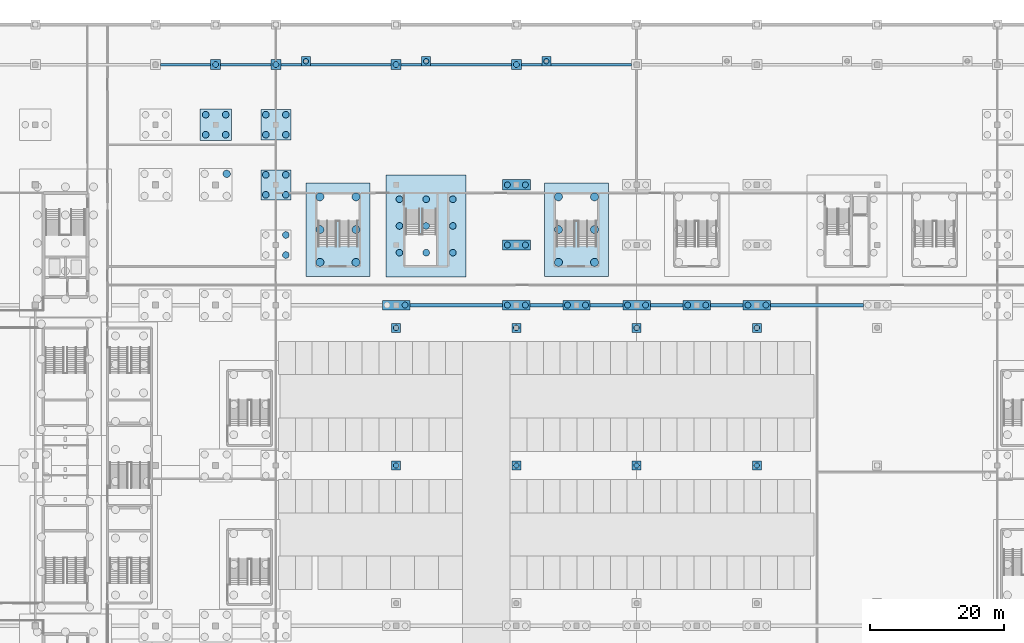
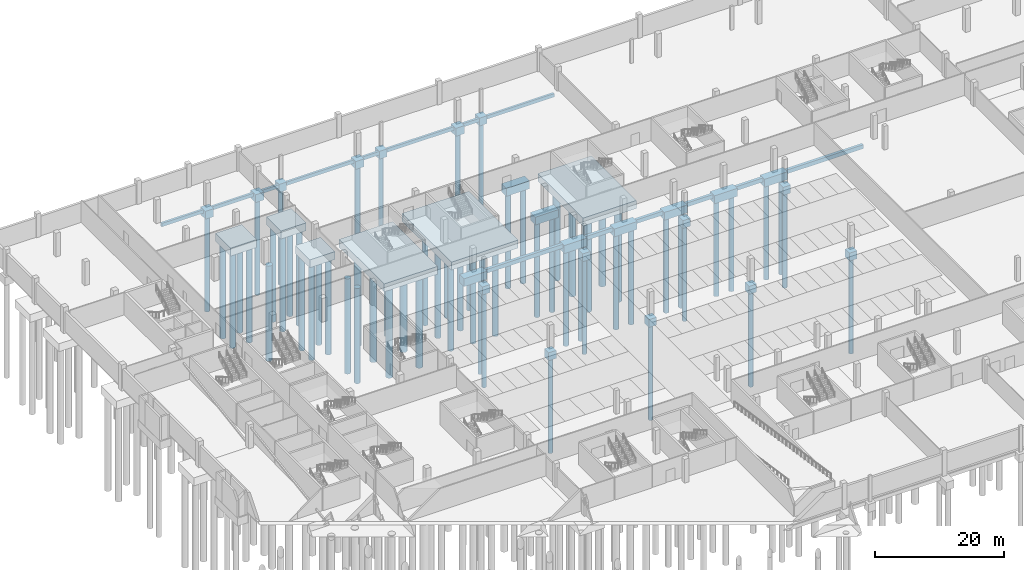
# One storey, part 4 of 46: 66 piles, 43 footings.
"""IFC4 building model written with IfcOpenShell, lengths in metres."""

from ifc_helpers import new_model, si_unit, direction, frame, origin, origin_2d, place, context, subcontext, project, spatial, polyline, circle, outline, extrude, material, material_profile, profile_set, type_object, element, save


model = new_model("IFC4")

# Units and contexts
model_context = context("Model", 3, precision=1e-05, world=origin(), true_north=direction((0.0, 1.0)))
body_context = subcontext(model_context, "Body", "Model", "MODEL_VIEW")
ifc_project = project(units=[si_unit("LENGTHUNIT", "METRE"), si_unit("AREAUNIT", "SQUARE_METRE"), si_unit("VOLUMEUNIT", "CUBIC_METRE"), si_unit("PLANEANGLEUNIT", "RADIAN"), si_unit("MASSUNIT", "GRAM", prefix="KILO")], contexts=[model_context])

# Site, building, storey
site_placement = place(None, origin())
site = spatial("IfcSite", under=ifc_project, at=site_placement, CompositionType="ELEMENT")
building_placement = place(site_placement, origin())
building = spatial("IfcBuilding", under=site, at=building_placement, Name="Kisiwana Market Hall", CompositionType="ELEMENT")
storey_placement = place(building_placement, frame((0.0, 0.0, -4.5)))
storey = spatial("IfcBuildingStorey", under=building, at=storey_placement, Name="B1", CompositionType="ELEMENT", Elevation=-4.5)

# Footings
ifc_material_1 = material(Name="Concrete C40/50", Category="concrete")
footing_type_1 = type_object("IfcFootingType", Name="FB-TIE-400x650", PredefinedType="FOOTING_BEAM", material=ifc_material_1)
footing_1_placement = place(storey_placement, frame((0.0, 0.0, -1.10009765625)))
element("IfcFooting", 1, at=footing_1_placement, inside=storey, type_object=footing_type_1, Name="Ground tie beam F-254", PredefinedType="FOOTING_BEAM", context=body_context, shape_type="SweptSolid", body=[
    extrude(outline(polyline([(27.75, 119.800048828125), (35.25, 119.800048828125), (35.25, 120.199951171875), (27.75, 120.199951171875), (27.75, 119.800048828125)])), origin(), (0.0, 0.0, 1.0), 0.650146484375),
])
footing_2_placement = place(storey_placement, frame((0.0, 0.0, -1.10009765625)))
element("IfcFooting", 2, at=footing_2_placement, inside=storey, type_object=footing_type_1, Name="Ground tie beam F-255", PredefinedType="FOOTING_BEAM", context=body_context, shape_type="SweptSolid", body=[
    extrude(outline(polyline([(36.75, 119.800048828125), (44.25, 119.800048828125), (44.25, 120.199951171875), (36.75, 120.199951171875), (36.75, 119.800048828125)])), origin(), (0.0, 0.0, 1.0), 0.650146484375),
])
footing_3_placement = place(storey_placement, frame((0.0, 0.0, -1.10009765625)))
element("IfcFooting", 3, at=footing_3_placement, inside=storey, type_object=footing_type_1, Name="Ground tie beam F-256", PredefinedType="FOOTING_BEAM", context=body_context, shape_type="SweptSolid", body=[
    extrude(outline(polyline([(45.75, 119.800048828125), (48.824951171875, 119.800048828125), (48.824951171875, 120.199951171875), (45.75, 120.199951171875), (45.75, 119.800048828125)])), origin(), (0.0, 0.0, 1.0), 0.650146484375),
])
footing_4_placement = place(storey_placement, frame((0.0, 0.0, -1.10009765625)))
element("IfcFooting", 4, at=footing_4_placement, inside=storey, type_object=footing_type_1, Name="Ground tie beam F-257", PredefinedType="FOOTING_BEAM", context=body_context, shape_type="SweptSolid", body=[
    extrude(outline(polyline([(50.175048828125, 119.800048828125), (62.25, 119.800048828125), (62.25, 120.199951171875), (50.175048828125, 120.199951171875), (50.175048828125, 119.800048828125)])), origin(), (0.0, 0.0, 1.0), 0.650146484375),
])
footing_5_placement = place(storey_placement, frame((0.0, 0.0, -1.10009765625)))
element("IfcFooting", 5, at=footing_5_placement, inside=storey, type_object=footing_type_1, Name="Ground tie beam F-258", PredefinedType="FOOTING_BEAM", context=body_context, shape_type="SweptSolid", body=[
    extrude(outline(polyline([(63.75, 119.800048828125), (66.824951171875, 119.800048828125), (66.824951171875, 120.199951171875), (63.75, 120.199951171875), (63.75, 119.800048828125)])), origin(), (0.0, 0.0, 1.0), 0.650146484375),
])
footing_6_placement = place(storey_placement, frame((0.0, 0.0, -1.10009765625)))
element("IfcFooting", 6, at=footing_6_placement, inside=storey, type_object=footing_type_1, Name="Ground tie beam F-259", PredefinedType="FOOTING_BEAM", context=body_context, shape_type="SweptSolid", body=[
    extrude(outline(polyline([(68.175048828125, 119.800048828125), (80.25, 119.800048828125), (80.25, 120.199951171875), (68.175048828125, 120.199951171875), (68.175048828125, 119.800048828125)])), origin(), (0.0, 0.0, 1.0), 0.650146484375),
])
footing_7_placement = place(storey_placement, frame((0.0, 0.0, -1.10009765625)))
element("IfcFooting", 7, at=footing_7_placement, inside=storey, type_object=footing_type_1, Name="Ground tie beam F-260", PredefinedType="FOOTING_BEAM", context=body_context, shape_type="SweptSolid", body=[
    extrude(outline(polyline([(81.75, 119.800048828125), (84.824951171875, 119.800048828125), (84.824951171875, 120.199951171875), (81.75, 120.199951171875), (81.75, 119.800048828125)])), origin(), (0.0, 0.0, 1.0), 0.650146484375),
])
footing_8_placement = place(storey_placement, frame((0.0, 0.0, -1.10009765625)))
element("IfcFooting", 8, at=footing_8_placement, inside=storey, type_object=footing_type_1, Name="Ground tie beam F-261", PredefinedType="FOOTING_BEAM", context=body_context, shape_type="SweptSolid", body=[
    extrude(outline(polyline([(86.175048828125, 119.800048828125), (98.25, 119.800048828125), (98.25, 120.199951171875), (86.175048828125, 120.199951171875), (86.175048828125, 119.800048828125)])), origin(), (0.0, 0.0, 1.0), 0.650146484375),
])
ifc_material_2 = material(Name="Concrete C40/50", Category="concrete")
footing_type_2 = type_object("IfcFootingType", Name="FB-TIE-500x750", PredefinedType="FOOTING_BEAM", material=ifc_material_2)
footing_9_placement = place(storey_placement, frame((0.0, 0.0, -1.199951171875)))
element("IfcFooting", 9, at=footing_9_placement, inside=storey, type_object=footing_type_2, Name="Ground tie beam F-241", PredefinedType="FOOTING_BEAM", context=body_context, shape_type="SweptSolid", body=[
    extrude(outline(polyline([(65.050048828125, 83.75), (78.949951171875, 83.75), (78.949951171875, 84.25), (65.050048828125, 84.25), (65.050048828125, 83.75)])), origin(), (0.0, 0.0, 1.0), 0.75),
])
footing_10_placement = place(storey_placement, frame((0.0, 0.0, -1.199951171875)))
element("IfcFooting", 10, at=footing_10_placement, inside=storey, type_object=footing_type_2, Name="Ground tie beam F-242", PredefinedType="FOOTING_BEAM", context=body_context, shape_type="SweptSolid", body=[
    extrude(outline(polyline([(83.050048828125, 83.75), (87.949951171875, 83.75), (87.949951171875, 84.25), (83.050048828125, 84.25), (83.050048828125, 83.75)])), origin(), (0.0, 0.0, 1.0), 0.75),
])
footing_11_placement = place(storey_placement, frame((0.0, 0.0, -1.199951171875)))
element("IfcFooting", 11, at=footing_11_placement, inside=storey, type_object=footing_type_2, Name="Ground tie beam F-243", PredefinedType="FOOTING_BEAM", context=body_context, shape_type="SweptSolid", body=[
    extrude(outline(polyline([(92.050048828125, 83.75), (96.949951171875, 83.75), (96.949951171875, 84.25), (92.050048828125, 84.25), (92.050048828125, 83.75)])), origin(), (0.0, 0.0, 1.0), 0.75),
])
footing_12_placement = place(storey_placement, frame((0.0, 0.0, -1.199951171875)))
element("IfcFooting", 12, at=footing_12_placement, inside=storey, type_object=footing_type_2, Name="Ground tie beam F-244", PredefinedType="FOOTING_BEAM", context=body_context, shape_type="SweptSolid", body=[
    extrude(outline(polyline([(101.050048828125, 83.75), (105.949951171875, 83.75), (105.949951171875, 84.25), (101.050048828125, 84.25), (101.050048828125, 83.75)])), origin(), (0.0, 0.0, 1.0), 0.75),
])
footing_13_placement = place(storey_placement, frame((0.0, 0.0, -1.199951171875)))
element("IfcFooting", 13, at=footing_13_placement, inside=storey, type_object=footing_type_2, Name="Ground tie beam F-245", PredefinedType="FOOTING_BEAM", context=body_context, shape_type="SweptSolid", body=[
    extrude(outline(polyline([(110.050048828125, 83.75), (114.949951171875, 83.75), (114.949951171875, 84.25), (110.050048828125, 84.25), (110.050048828125, 83.75)])), origin(), (0.0, 0.0, 1.0), 0.75),
])
footing_14_placement = place(storey_placement, frame((0.0, 0.0, -1.199951171875)))
element("IfcFooting", 14, at=footing_14_placement, inside=storey, type_object=footing_type_2, Name="Ground tie beam F-246", PredefinedType="FOOTING_BEAM", context=body_context, shape_type="SweptSolid", body=[
    extrude(outline(polyline([(119.050048828125, 83.75), (132.949951171875, 83.75), (132.949951171875, 84.25), (119.050048828125, 84.25), (119.050048828125, 83.75)])), origin(), (0.0, 0.0, 1.0), 0.75),
])
ifc_material_3 = material(Name="Concrete C40/50", Category="concrete")
footing_type_3 = type_object("IfcFootingType", Name="PC-1P-800", PredefinedType="PILE_CAP", material=ifc_material_3)
footing_15_placement = place(storey_placement, frame((0.0, 0.0, -1.949951171875)))
element("IfcFooting", 15, at=footing_15_placement, inside=storey, type_object=footing_type_3, Name="Pile cap F-049 at H/8", PredefinedType="PILE_CAP", context=body_context, shape_type="SweptSolid", body=[
    extrude(outline(polyline([(62.324951171875, 59.324951171875), (63.675048828125, 59.324951171875), (63.675048828125, 60.675048828125), (62.324951171875, 60.675048828125), (62.324951171875, 59.324951171875)])), origin(), (0.0, 0.0, 1.0), 1.5),
])
footing_16_placement = place(storey_placement, frame((0.0, 0.0, -1.949951171875)))
element("IfcFooting", 16, at=footing_16_placement, inside=storey, type_object=footing_type_3, Name="Pile cap F-057 at H/10", PredefinedType="PILE_CAP", context=body_context, shape_type="SweptSolid", body=[
    extrude(outline(polyline([(80.324951171875, 59.324951171875), (81.675048828125, 59.324951171875), (81.675048828125, 60.675048828125), (80.324951171875, 60.675048828125), (80.324951171875, 59.324951171875)])), origin(), (0.0, 0.0, 1.0), 1.5),
])
footing_17_placement = place(storey_placement, frame((0.0, 0.0, -1.949951171875)))
element("IfcFooting", 17, at=footing_17_placement, inside=storey, type_object=footing_type_3, Name="Pile cap F-069 at H/12", PredefinedType="PILE_CAP", context=body_context, shape_type="SweptSolid", body=[
    extrude(outline(polyline([(98.324951171875, 59.324951171875), (99.675048828125, 59.324951171875), (99.675048828125, 60.675048828125), (98.324951171875, 60.675048828125), (98.324951171875, 59.324951171875)])), origin(), (0.0, 0.0, 1.0), 1.5),
])
footing_18_placement = place(storey_placement, frame((0.0, 0.0, -1.949951171875)))
element("IfcFooting", 18, at=footing_18_placement, inside=storey, type_object=footing_type_3, Name="Pile cap F-081 at H/14", PredefinedType="PILE_CAP", context=body_context, shape_type="SweptSolid", body=[
    extrude(outline(polyline([(116.324951171875, 59.324951171875), (117.675048828125, 59.324951171875), (117.675048828125, 60.675048828125), (116.324951171875, 60.675048828125), (116.324951171875, 59.324951171875)])), origin(), (0.0, 0.0, 1.0), 1.5),
])
footing_19_placement = place(storey_placement, frame((0.0, 0.0, -1.949951171875)))
element("IfcFooting", 19, at=footing_19_placement, inside=storey, type_object=footing_type_3, Name="Pilaster cap F-144", PredefinedType="PILE_CAP", context=body_context, shape_type="SweptSolid", body=[
    extrude(outline(polyline([(48.824951171875, 119.824951171875), (50.175048828125, 119.824951171875), (50.175048828125, 121.175048828125), (48.824951171875, 121.175048828125), (48.824951171875, 119.824951171875)])), origin(), (0.0, 0.0, 1.0), 1.5),
])
footing_20_placement = place(storey_placement, frame((0.0, 0.0, -1.949951171875)))
element("IfcFooting", 20, at=footing_20_placement, inside=storey, type_object=footing_type_3, Name="Pilaster cap F-145", PredefinedType="PILE_CAP", context=body_context, shape_type="SweptSolid", body=[
    extrude(outline(polyline([(66.824951171875, 119.824951171875), (68.175048828125, 119.824951171875), (68.175048828125, 121.175048828125), (66.824951171875, 121.175048828125), (66.824951171875, 119.824951171875)])), origin(), (0.0, 0.0, 1.0), 1.5),
])
footing_21_placement = place(storey_placement, frame((0.0, 0.0, -1.949951171875)))
element("IfcFooting", 21, at=footing_21_placement, inside=storey, type_object=footing_type_3, Name="Pilaster cap F-146", PredefinedType="PILE_CAP", context=body_context, shape_type="SweptSolid", body=[
    extrude(outline(polyline([(84.824951171875, 119.824951171875), (86.175048828125, 119.824951171875), (86.175048828125, 121.175048828125), (84.824951171875, 121.175048828125), (84.824951171875, 119.824951171875)])), origin(), (0.0, 0.0, 1.0), 1.5),
])
footing_22_placement = place(storey_placement, frame((0.0, 0.0, -1.949951171875)))
element("IfcFooting", 22, at=footing_22_placement, inside=storey, type_object=footing_type_3, Name="Gallery post cap F-151", PredefinedType="PILE_CAP", context=body_context, shape_type="SweptSolid", body=[
    extrude(outline(polyline([(62.324951171875, 79.925048828125), (63.675048828125, 79.925048828125), (63.675048828125, 81.27490234375), (62.324951171875, 81.27490234375), (62.324951171875, 79.925048828125)])), origin(), (0.0, 0.0, 1.0), 1.5),
])
footing_23_placement = place(storey_placement, frame((0.0, 0.0, -1.949951171875)))
element("IfcFooting", 23, at=footing_23_placement, inside=storey, type_object=footing_type_3, Name="Gallery post cap F-153", PredefinedType="PILE_CAP", context=body_context, shape_type="SweptSolid", body=[
    extrude(outline(polyline([(80.324951171875, 79.925048828125), (81.675048828125, 79.925048828125), (81.675048828125, 81.27490234375), (80.324951171875, 81.27490234375), (80.324951171875, 79.925048828125)])), origin(), (0.0, 0.0, 1.0), 1.5),
])
footing_24_placement = place(storey_placement, frame((0.0, 0.0, -1.949951171875)))
element("IfcFooting", 24, at=footing_24_placement, inside=storey, type_object=footing_type_3, Name="Gallery post cap F-155", PredefinedType="PILE_CAP", context=body_context, shape_type="SweptSolid", body=[
    extrude(outline(polyline([(98.324951171875, 79.925048828125), (99.675048828125, 79.925048828125), (99.675048828125, 81.27490234375), (98.324951171875, 81.27490234375), (98.324951171875, 79.925048828125)])), origin(), (0.0, 0.0, 1.0), 1.5),
])
footing_25_placement = place(storey_placement, frame((0.0, 0.0, -1.949951171875)))
element("IfcFooting", 25, at=footing_25_placement, inside=storey, type_object=footing_type_3, Name="Gallery post cap F-157", PredefinedType="PILE_CAP", context=body_context, shape_type="SweptSolid", body=[
    extrude(outline(polyline([(116.324951171875, 79.925048828125), (117.675048828125, 79.925048828125), (117.675048828125, 81.27490234375), (116.324951171875, 81.27490234375), (116.324951171875, 79.925048828125)])), origin(), (0.0, 0.0, 1.0), 1.5),
])
ifc_material_4 = material(Name="Concrete C40/50", Category="concrete")
footing_type_4 = type_object("IfcFootingType", Name="PC-1P-900", PredefinedType="PILE_CAP", material=ifc_material_4)
footing_26_placement = place(storey_placement, frame((0.0, 0.0, -1.949951171875)))
element("IfcFooting", 26, at=footing_26_placement, inside=storey, type_object=footing_type_4, Name="Pile cap F-033 at Q/5", PredefinedType="PILE_CAP", context=body_context, shape_type="SweptSolid", body=[
    extrude(outline(polyline([(35.25, 119.25), (36.75, 119.25), (36.75, 120.75), (35.25, 120.75), (35.25, 119.25)])), origin(), (0.0, 0.0, 1.0), 1.5),
])
footing_27_placement = place(storey_placement, frame((0.0, 0.0, -1.949951171875)))
element("IfcFooting", 27, at=footing_27_placement, inside=storey, type_object=footing_type_4, Name="Pile cap F-045 at Q/6", PredefinedType="PILE_CAP", context=body_context, shape_type="SweptSolid", body=[
    extrude(outline(polyline([(44.25, 119.25), (45.75, 119.25), (45.75, 120.75), (44.25, 120.75), (44.25, 119.25)])), origin(), (0.0, 0.0, 1.0), 1.5),
])
footing_28_placement = place(storey_placement, frame((0.0, 0.0, -1.949951171875)))
element("IfcFooting", 28, at=footing_28_placement, inside=storey, type_object=footing_type_4, Name="Pile cap F-051 at Q/8", PredefinedType="PILE_CAP", context=body_context, shape_type="SweptSolid", body=[
    extrude(outline(polyline([(62.25, 119.25), (63.75, 119.25), (63.75, 120.75), (62.25, 120.75), (62.25, 119.25)])), origin(), (0.0, 0.0, 1.0), 1.5),
])
footing_29_placement = place(storey_placement, frame((0.0, 0.0, -1.949951171875)))
element("IfcFooting", 29, at=footing_29_placement, inside=storey, type_object=footing_type_4, Name="Pile cap F-061 at Q/10", PredefinedType="PILE_CAP", context=body_context, shape_type="SweptSolid", body=[
    extrude(outline(polyline([(80.25, 119.25), (81.75, 119.25), (81.75, 120.75), (80.25, 120.75), (80.25, 119.25)])), origin(), (0.0, 0.0, 1.0), 1.5),
])
ifc_material_5 = material(Name="Concrete C40/50", Category="concrete")
footing_type_5 = type_object("IfcFootingType", Name="PC-2P-900", PredefinedType="PILE_CAP", material=ifc_material_5)
footing_30_placement = place(storey_placement, frame((0.0, 0.0, -1.949951171875)))
element("IfcFooting", 30, at=footing_30_placement, inside=storey, type_object=footing_type_5, Name="Pile cap F-050 at L/8", PredefinedType="PILE_CAP", context=body_context, shape_type="SweptSolid", body=[
    extrude(outline(polyline([(60.949951171875, 83.300048828125), (65.050048828125, 83.300048828125), (65.050048828125, 84.699951171875), (60.949951171875, 84.699951171875), (60.949951171875, 83.300048828125)])), origin(), (0.0, 0.0, 1.0), 1.5),
])
footing_31_placement = place(storey_placement, frame((0.0, 0.0, -1.949951171875)))
element("IfcFooting", 31, at=footing_31_placement, inside=storey, type_object=footing_type_5, Name="Pile cap F-058 at L/10", PredefinedType="PILE_CAP", context=body_context, shape_type="SweptSolid", body=[
    extrude(outline(polyline([(78.949951171875, 83.300048828125), (83.050048828125, 83.300048828125), (83.050048828125, 84.699951171875), (78.949951171875, 84.699951171875), (78.949951171875, 83.300048828125)])), origin(), (0.0, 0.0, 1.0), 1.5),
])
footing_32_placement = place(storey_placement, frame((0.0, 0.0, -1.949951171875)))
element("IfcFooting", 32, at=footing_32_placement, inside=storey, type_object=footing_type_5, Name="Pile cap F-064 at L/11", PredefinedType="PILE_CAP", context=body_context, shape_type="SweptSolid", body=[
    extrude(outline(polyline([(87.949951171875, 83.300048828125), (92.050048828125, 83.300048828125), (92.050048828125, 84.699951171875), (87.949951171875, 84.699951171875), (87.949951171875, 83.300048828125)])), origin(), (0.0, 0.0, 1.0), 1.5),
])
footing_33_placement = place(storey_placement, frame((0.0, 0.0, -1.949951171875)))
element("IfcFooting", 33, at=footing_33_placement, inside=storey, type_object=footing_type_5, Name="Pile cap F-070 at L/12", PredefinedType="PILE_CAP", context=body_context, shape_type="SweptSolid", body=[
    extrude(outline(polyline([(96.949951171875, 83.300048828125), (101.050048828125, 83.300048828125), (101.050048828125, 84.699951171875), (96.949951171875, 84.699951171875), (96.949951171875, 83.300048828125)])), origin(), (0.0, 0.0, 1.0), 1.5),
])
footing_34_placement = place(storey_placement, frame((0.0, 0.0, -1.949951171875)))
element("IfcFooting", 34, at=footing_34_placement, inside=storey, type_object=footing_type_5, Name="Pile cap F-076 at L/13", PredefinedType="PILE_CAP", context=body_context, shape_type="SweptSolid", body=[
    extrude(outline(polyline([(105.949951171875, 83.300048828125), (110.050048828125, 83.300048828125), (110.050048828125, 84.699951171875), (105.949951171875, 84.699951171875), (105.949951171875, 83.300048828125)])), origin(), (0.0, 0.0, 1.0), 1.5),
])
footing_35_placement = place(storey_placement, frame((0.0, 0.0, -1.949951171875)))
element("IfcFooting", 35, at=footing_35_placement, inside=storey, type_object=footing_type_5, Name="Pile cap F-082 at L/14", PredefinedType="PILE_CAP", context=body_context, shape_type="SweptSolid", body=[
    extrude(outline(polyline([(114.949951171875, 83.300048828125), (119.050048828125, 83.300048828125), (119.050048828125, 84.699951171875), (114.949951171875, 84.699951171875), (114.949951171875, 83.300048828125)])), origin(), (0.0, 0.0, 1.0), 1.5),
])
ifc_material_6 = material(Name="Concrete C40/50", Category="concrete")
footing_type_6 = type_object("IfcFootingType", Name="PC-2P-950", PredefinedType="PILE_CAP", material=ifc_material_6)
footing_36_placement = place(storey_placement, frame((0.0, 0.0, -1.949951171875)))
element("IfcFooting", 36, at=footing_36_placement, inside=storey, type_object=footing_type_6, Name="Pile cap F-059 at M/10", PredefinedType="PILE_CAP", context=body_context, shape_type="SweptSolid", body=[
    extrude(outline(polyline([(78.89990234375, 92.22509765625), (83.10009765625, 92.22509765625), (83.10009765625, 93.77490234375), (78.89990234375, 93.77490234375), (78.89990234375, 92.22509765625)])), origin(), (0.0, 0.0, 1.0), 1.5),
])
footing_37_placement = place(storey_placement, frame((0.0, 0.0, -1.949951171875)))
element("IfcFooting", 37, at=footing_37_placement, inside=storey, type_object=footing_type_6, Name="Pile cap F-060 at N/10", PredefinedType="PILE_CAP", context=body_context, shape_type="SweptSolid", body=[
    extrude(outline(polyline([(78.89990234375, 101.22509765625), (83.10009765625, 101.22509765625), (83.10009765625, 102.77490234375), (78.89990234375, 102.77490234375), (78.89990234375, 101.22509765625)])), origin(), (0.0, 0.0, 1.0), 1.5),
])
ifc_material_7 = material(Name="Concrete C40/50", Category="concrete")
footing_type_7 = type_object("IfcFootingType", Name="PC-4P-1000", PredefinedType="PILE_CAP", material=ifc_material_7)
footing_38_placement = place(storey_placement, frame((0.0, 0.0, -1.949951171875)))
element("IfcFooting", 38, at=footing_38_placement, inside=storey, type_object=footing_type_7, Name="Pile cap F-043 at N/6", PredefinedType="PILE_CAP", context=body_context, shape_type="SweptSolid", body=[
    extrude(outline(polyline([(42.75, 99.75), (47.25, 99.75), (47.25, 104.25), (42.75, 104.25), (42.75, 99.75)])), origin(), (0.0, 0.0, 1.0), 1.5),
])
footing_39_placement = place(storey_placement, frame((0.0, 0.0, -1.949951171875)))
element("IfcFooting", 39, at=footing_39_placement, inside=storey, type_object=footing_type_7, Name="Pile cap F-044 at P/6", PredefinedType="PILE_CAP", context=body_context, shape_type="SweptSolid", body=[
    extrude(outline(polyline([(42.75, 108.75), (47.25, 108.75), (47.25, 113.25), (42.75, 113.25), (42.75, 108.75)])), origin(), (0.0, 0.0, 1.0), 1.5),
])
ifc_material_8 = material(Name="Concrete C40/50", Category="concrete")
footing_type_8 = type_object("IfcFootingType", Name="PC-4P-1050", PredefinedType="PILE_CAP", material=ifc_material_8)
footing_40_placement = place(storey_placement, frame((0.0, 0.0, -1.949951171875)))
element("IfcFooting", 40, at=footing_40_placement, inside=storey, type_object=footing_type_8, Name="Pile cap F-032 at P/5", PredefinedType="PILE_CAP", context=body_context, shape_type="SweptSolid", body=[
    extrude(outline(polyline([(33.64990234375, 108.64990234375), (38.35009765625, 108.64990234375), (38.35009765625, 113.35009765625), (33.64990234375, 113.35009765625), (33.64990234375, 108.64990234375)])), origin(), (0.0, 0.0, 1.0), 1.5),
])
ifc_material_9 = material(Name="Concrete C40/50", Category="concrete")
footing_type_9 = type_object("IfcFootingType", Name="PC-ESC-RAFT", PredefinedType="PILE_CAP", material=ifc_material_9)
footing_41_placement = place(storey_placement, frame((0.0, 0.0, -1.949951171875)))
element("IfcFooting", 41, at=footing_41_placement, inside=storey, type_object=footing_type_9, Name="Core raft pile cap N3 F-175", PredefinedType="PILE_CAP", context=body_context, shape_type="SweptSolid", body=[
    extrude(outline(polyline([(49.5, 88.300048828125), (59.10009765625, 88.300048828125), (59.10009765625, 102.300048828125), (49.5, 102.300048828125), (49.5, 88.300048828125)])), origin(), (0.0, 0.0, 1.0), 1.5),
])
footing_42_placement = place(storey_placement, frame((0.0, 0.0, -1.949951171875)))
element("IfcFooting", 42, at=footing_42_placement, inside=storey, type_object=footing_type_9, Name="Core raft pile cap N4 F-176", PredefinedType="PILE_CAP", context=body_context, shape_type="SweptSolid", body=[
    extrude(outline(polyline([(85.199951171875, 88.300048828125), (94.800048828125, 88.300048828125), (94.800048828125, 102.300048828125), (85.199951171875, 102.300048828125), (85.199951171875, 88.300048828125)])), origin(), (0.0, 0.0, 1.0), 1.5),
])
ifc_material_10 = material(Name="Concrete C40/50", Category="concrete")
footing_type_10 = type_object("IfcFootingType", Name="PC-POD-RAFT", PredefinedType="PILE_CAP", material=ifc_material_10)
footing_43_placement = place(storey_placement, frame((0.0, 0.0, -1.949951171875)))
element("IfcFooting", 43, at=footing_43_placement, inside=storey, type_object=footing_type_10, Name="Podium core pile cap N1 F-173", PredefinedType="PILE_CAP", context=body_context, shape_type="SweptSolid", body=[
    extrude(outline(polyline([(61.5, 88.199951171875), (73.5, 88.199951171875), (73.5, 103.5), (61.5, 103.5), (61.5, 88.199951171875)])), origin(), (0.0, 0.0, 1.0), 1.5),
])

# Piles
ifc_material_11 = material(Name="Concrete C40/50", Category="concrete")
ifc_material_profile_1 = material_profile(ifc_material_11, circle(Radius=0.5, at=origin_2d()), Name="BP D1000")
ifc_profile_set_1 = profile_set([ifc_material_profile_1], Name="Concrete C40/50")
pile_type_1 = type_object("IfcPileType", Name="PILE-D1000", PredefinedType="BORED", material=ifc_profile_set_1)
for number, where, z_axis, x_axis, name in (
    (44, (63.5, 91.85009765625, -1.85009765625), (0.0, 0.0, -1.0), (1.0, 0.0, 0.0), "Bored pile P-079"),
    (45, (63.5, 95.85009765625, -1.85009765625), (0.0, 0.0, -1.0), (1.0, 0.0, 0.0), "Bored pile P-080"),
    (46, (63.5, 99.85009765625, -1.85009765625), (0.0, 0.0, -1.0), (1.0, 0.0, 0.0), "Bored pile P-081"),
    (47, (67.5, 91.85009765625, -1.85009765625), (0.0, 0.0, -1.0), (1.0, 0.0, 0.0), "Bored pile P-082"),
    (48, (67.5, 95.85009765625, -1.85009765625), (0.0, 0.0, -1.0), (1.0, 0.0, 0.0), "Bored pile P-083"),
    (49, (67.5, 99.85009765625, -1.85009765625), (0.0, 0.0, -1.0), (1.0, 0.0, 0.0), "Bored pile P-084"),
    (50, (71.5, 91.85009765625, -1.85009765625), (0.0, 0.0, -1.0), (1.0, 0.0, 0.0), "Bored pile P-085"),
    (51, (71.5, 95.85009765625, -1.85009765625), (0.0, 0.0, -1.0), (1.0, 0.0, 0.0), "Bored pile P-086"),
    (52, (71.5, 99.85009765625, -1.85009765625), (0.0, 0.0, -1.0), (1.0, 0.0, 0.0), "Bored pile P-087"),
    (53, (34.5, 109.5, -1.85009765625), (0.0, 0.0, -1.0), (1.0, 0.0, 0.0), "Bored pile P-181"),
    (54, (37.5, 109.5, -1.85009765625), (0.0, 0.0, -1.0), (1.0, 0.0, 0.0), "Bored pile P-182"),
    (55, (34.5, 112.5, -1.85009765625), (0.0, 0.0, -1.0), (1.0, 0.0, 0.0), "Bored pile P-183"),
    (56, (37.5, 112.5, -1.85009765625), (0.0, 0.0, -1.0), (1.0, 0.0, 0.0), "Bored pile P-184"),
    (57, (46.5, 91.5, -1.85009765625), (0.0, 0.0, -1.0), (1.0, 0.0, 0.0), "Bored pile P-214"),
    (58, (46.5, 94.5, -1.85009765625), (0.0, 0.0, -1.0), (1.0, 0.0, 0.0), "Bored pile P-216"),
    (59, (43.5, 100.5, -1.85009765625), (0.0, 0.0, -1.0), (1.0, 0.0, 0.0), "Bored pile P-217"),
    (60, (46.5, 100.5, -1.85009765625), (0.0, 0.0, -1.0), (1.0, 0.0, 0.0), "Bored pile P-218"),
    (61, (43.5, 103.5, -1.85009765625), (0.0, 0.0, -1.0), (1.0, 0.0, 0.0), "Bored pile P-219"),
    (62, (46.5, 103.5, -1.85009765625), (0.0, 0.0, -1.0), (1.0, 0.0, 0.0), "Bored pile P-220"),
    (63, (43.5, 109.5, -1.85009765625), (0.0, 0.0, -1.0), (1.0, 0.0, 0.0), "Bored pile P-221"),
    (64, (46.5, 109.5, -1.85009765625), (0.0, 0.0, -1.0), (1.0, 0.0, 0.0), "Bored pile P-222"),
    (65, (43.5, 112.5, -1.85009765625), (0.0, 0.0, -1.0), (1.0, 0.0, 0.0), "Bored pile P-223"),
    (66, (46.5, 112.5, -1.85009765625), (0.0, 0.0, -1.0), (1.0, 0.0, 0.0), "Bored pile P-224"),
):
    element("IfcPile", number, at=place(storey_placement, frame(where, z_axis=z_axis, x_axis=x_axis)), inside=storey, type_object=pile_type_1, Name=name, PredefinedType="BORED", context=body_context, shape_type="SweptSolid", body=[
        extrude(circle(Radius=0.5, at=origin_2d()), origin(), (0.0, 0.0, 1.0), 18.10009765625),
    ])
ifc_material_12 = material(Name="Concrete C40/50", Category="concrete")
ifc_material_profile_2 = material_profile(ifc_material_12, circle(Radius=0.550048828125, at=origin_2d()), Name="BP D1100")
ifc_profile_set_2 = profile_set([ifc_material_profile_2], Name="Concrete C40/50")
pile_type_2 = type_object("IfcPileType", Name="PILE-D1100", PredefinedType="BORED", material=ifc_profile_set_2)
pile_placement = place(storey_placement, frame((37.64990234375, 103.64990234375, -1.85009765625), z_axis=(0.0, 0.0, -1.0), x_axis=(1.0, 0.0, 0.0)))
element("IfcPile", 67, at=pile_placement, inside=storey, type_object=pile_type_2, Name="Bored pile P-180", PredefinedType="BORED", context=body_context, shape_type="SweptSolid", body=[
    extrude(circle(Radius=0.550048828125, at=origin_2d()), origin(), (0.0, 0.0, 1.0), 18.10009765625),
])
ifc_material_13 = material(Name="Concrete C40/50", Category="concrete")
ifc_material_profile_3 = material_profile(ifc_material_13, circle(Radius=0.60009765625, at=origin_2d()), Name="BP D1200")
ifc_profile_set_3 = profile_set([ifc_material_profile_3], Name="Concrete C40/50")
pile_type_3 = type_object("IfcPileType", Name="PILE-D1200", PredefinedType="BORED", material=ifc_profile_set_3)
for number, where, z_axis, x_axis, name in (
    (68, (51.60009765625, 90.39990234375, -1.85009765625), (0.0, 0.0, -1.0), (1.0, 0.0, 0.0), "Bored pile P-572"),
    (69, (51.60009765625, 95.300048828125, -1.85009765625), (0.0, 0.0, -1.0), (1.0, 0.0, 0.0), "Bored pile P-573"),
    (70, (51.60009765625, 100.199951171875, -1.85009765625), (0.0, 0.0, -1.0), (1.0, 0.0, 0.0), "Bored pile P-574"),
    (71, (57.0, 90.39990234375, -1.85009765625), (0.0, 0.0, -1.0), (1.0, 0.0, 0.0), "Bored pile P-575"),
    (72, (57.0, 95.300048828125, -1.85009765625), (0.0, 0.0, -1.0), (1.0, 0.0, 0.0), "Bored pile P-576"),
    (73, (57.0, 100.199951171875, -1.85009765625), (0.0, 0.0, -1.0), (1.0, 0.0, 0.0), "Bored pile P-577"),
    (74, (87.300048828125, 90.39990234375, -1.85009765625), (0.0, 0.0, -1.0), (1.0, 0.0, 0.0), "Bored pile P-584"),
    (75, (87.300048828125, 95.300048828125, -1.85009765625), (0.0, 0.0, -1.0), (1.0, 0.0, 0.0), "Bored pile P-585"),
    (76, (87.300048828125, 100.199951171875, -1.85009765625), (0.0, 0.0, -1.0), (1.0, 0.0, 0.0), "Bored pile P-586"),
    (77, (92.699951171875, 90.39990234375, -1.85009765625), (0.0, 0.0, -1.0), (1.0, 0.0, 0.0), "Bored pile P-587"),
    (78, (92.699951171875, 95.300048828125, -1.85009765625), (0.0, 0.0, -1.0), (1.0, 0.0, 0.0), "Bored pile P-588"),
    (79, (92.699951171875, 100.199951171875, -1.85009765625), (0.0, 0.0, -1.0), (1.0, 0.0, 0.0), "Bored pile P-589"),
):
    element("IfcPile", number, at=place(storey_placement, frame(where, z_axis=z_axis, x_axis=x_axis)), inside=storey, type_object=pile_type_3, Name=name, PredefinedType="BORED", context=body_context, shape_type="SweptSolid", body=[
        extrude(circle(Radius=0.60009765625, at=origin_2d()), origin(), (0.0, 0.0, 1.0), 18.10009765625),
    ])
ifc_material_14 = material(Name="Concrete C40/50", Category="concrete")
ifc_material_profile_4 = material_profile(ifc_material_14, circle(Radius=0.39990234375, at=origin_2d()), Name="BP D800")
ifc_profile_set_4 = profile_set([ifc_material_profile_4], Name="Concrete C40/50")
pile_type_4 = type_object("IfcPileType", Name="PILE-D800", PredefinedType="BORED", material=ifc_profile_set_4)
for number, where, z_axis, x_axis, name in (
    (80, (63.0, 60.0, -1.85009765625), (0.0, 0.0, -1.0), (1.0, 0.0, 0.0), "Bored pile P-231"),
    (81, (81.0, 60.0, -1.85009765625), (0.0, 0.0, -1.0), (1.0, 0.0, 0.0), "Bored pile P-248"),
    (82, (99.0, 60.0, -1.85009765625), (0.0, 0.0, -1.0), (1.0, 0.0, 0.0), "Bored pile P-273"),
    (83, (117.0, 60.0, -1.85009765625), (0.0, 0.0, -1.0), (1.0, 0.0, 0.0), "Bored pile P-298"),
    (84, (49.5, 120.5, -1.85009765625), (0.0, 0.0, -1.0), (1.0, 0.0, 0.0), "Bored pile P-452"),
    (85, (67.5, 120.5, -1.85009765625), (0.0, 0.0, -1.0), (1.0, 0.0, 0.0), "Bored pile P-453"),
    (86, (85.5, 120.5, -1.85009765625), (0.0, 0.0, -1.0), (1.0, 0.0, 0.0), "Bored pile P-454"),
    (87, (63.0, 80.60009765625, -1.85009765625), (0.0, 0.0, -1.0), (1.0, 0.0, 0.0), "Bored pile P-459"),
    (88, (81.0, 80.60009765625, -1.85009765625), (0.0, 0.0, -1.0), (1.0, 0.0, 0.0), "Bored pile P-461"),
    (89, (99.0, 80.60009765625, -1.85009765625), (0.0, 0.0, -1.0), (1.0, 0.0, 0.0), "Bored pile P-463"),
    (90, (117.0, 80.60009765625, -1.85009765625), (0.0, 0.0, -1.0), (1.0, 0.0, 0.0), "Bored pile P-465"),
):
    element("IfcPile", number, at=place(storey_placement, frame(where, z_axis=z_axis, x_axis=x_axis)), inside=storey, type_object=pile_type_4, Name=name, PredefinedType="BORED", context=body_context, shape_type="SweptSolid", body=[
        extrude(circle(Radius=0.39990234375, at=origin_2d()), origin(), (0.0, 0.0, 1.0), 18.10009765625),
    ])
ifc_material_15 = material(Name="Concrete C40/50", Category="concrete")
ifc_material_profile_5 = material_profile(ifc_material_15, circle(Radius=0.449951171875, at=origin_2d()), Name="BP D900")
ifc_profile_set_5 = profile_set([ifc_material_profile_5], Name="Concrete C40/50")
pile_type_5 = type_object("IfcPileType", Name="PILE-D900", PredefinedType="BORED", material=ifc_profile_set_5)
for number, where, z_axis, x_axis, name in (
    (91, (36.0, 120.0, -1.85009765625), (0.0, 0.0, -1.0), (1.0, 0.0, 0.0), "Bored pile P-185"),
    (92, (45.0, 120.0, -1.85009765625), (0.0, 0.0, -1.0), (1.0, 0.0, 0.0), "Bored pile P-225"),
    (93, (64.35009765625, 84.0, -1.85009765625), (0.0, 0.0, -1.0), (1.0, 0.0, 0.0), "Bored pile P-233"),
    (94, (63.0, 120.0, -1.85009765625), (0.0, 0.0, -1.0), (1.0, 0.0, 0.0), "Bored pile P-234"),
    (95, (79.64990234375, 84.0, -1.85009765625), (0.0, 0.0, -1.0), (1.0, 0.0, 0.0), "Bored pile P-249"),
    (96, (82.35009765625, 84.0, -1.85009765625), (0.0, 0.0, -1.0), (1.0, 0.0, 0.0), "Bored pile P-250"),
    (97, (79.64990234375, 93.0, -1.85009765625), (0.0, 0.0, -1.0), (1.0, 0.0, 0.0), "Bored pile P-251"),
    (98, (82.35009765625, 93.0, -1.85009765625), (0.0, 0.0, -1.0), (1.0, 0.0, 0.0), "Bored pile P-252"),
    (99, (79.64990234375, 102.0, -1.85009765625), (0.0, 0.0, -1.0), (1.0, 0.0, 0.0), "Bored pile P-253"),
    (100, (82.35009765625, 102.0, -1.85009765625), (0.0, 0.0, -1.0), (1.0, 0.0, 0.0), "Bored pile P-254"),
    (101, (81.0, 120.0, -1.85009765625), (0.0, 0.0, -1.0), (1.0, 0.0, 0.0), "Bored pile P-255"),
    (102, (88.64990234375, 84.0, -1.85009765625), (0.0, 0.0, -1.0), (1.0, 0.0, 0.0), "Bored pile P-259"),
    (103, (91.35009765625, 84.0, -1.85009765625), (0.0, 0.0, -1.0), (1.0, 0.0, 0.0), "Bored pile P-260"),
    (104, (97.64990234375, 84.0, -1.85009765625), (0.0, 0.0, -1.0), (1.0, 0.0, 0.0), "Bored pile P-274"),
    (105, (100.35009765625, 84.0, -1.85009765625), (0.0, 0.0, -1.0), (1.0, 0.0, 0.0), "Bored pile P-275"),
    (106, (106.64990234375, 84.0, -1.85009765625), (0.0, 0.0, -1.0), (1.0, 0.0, 0.0), "Bored pile P-284"),
    (107, (109.35009765625, 84.0, -1.85009765625), (0.0, 0.0, -1.0), (1.0, 0.0, 0.0), "Bored pile P-285"),
    (108, (115.64990234375, 84.0, -1.85009765625), (0.0, 0.0, -1.0), (1.0, 0.0, 0.0), "Bored pile P-299"),
    (109, (118.35009765625, 84.0, -1.85009765625), (0.0, 0.0, -1.0), (1.0, 0.0, 0.0), "Bored pile P-300"),
):
    element("IfcPile", number, at=place(storey_placement, frame(where, z_axis=z_axis, x_axis=x_axis)), inside=storey, type_object=pile_type_5, Name=name, PredefinedType="BORED", context=body_context, shape_type="SweptSolid", body=[
        extrude(circle(Radius=0.449951171875, at=origin_2d()), origin(), (0.0, 0.0, 1.0), 18.10009765625),
    ])

save(model, "model.ifc")
